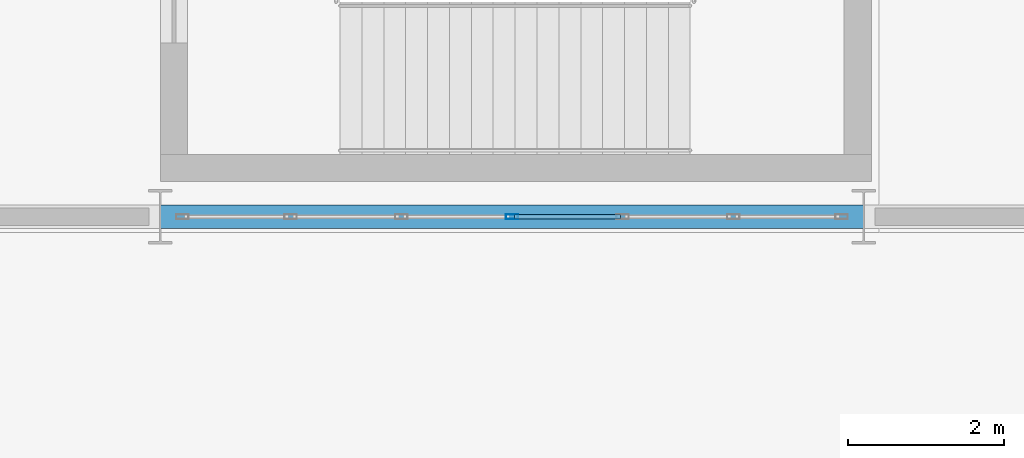
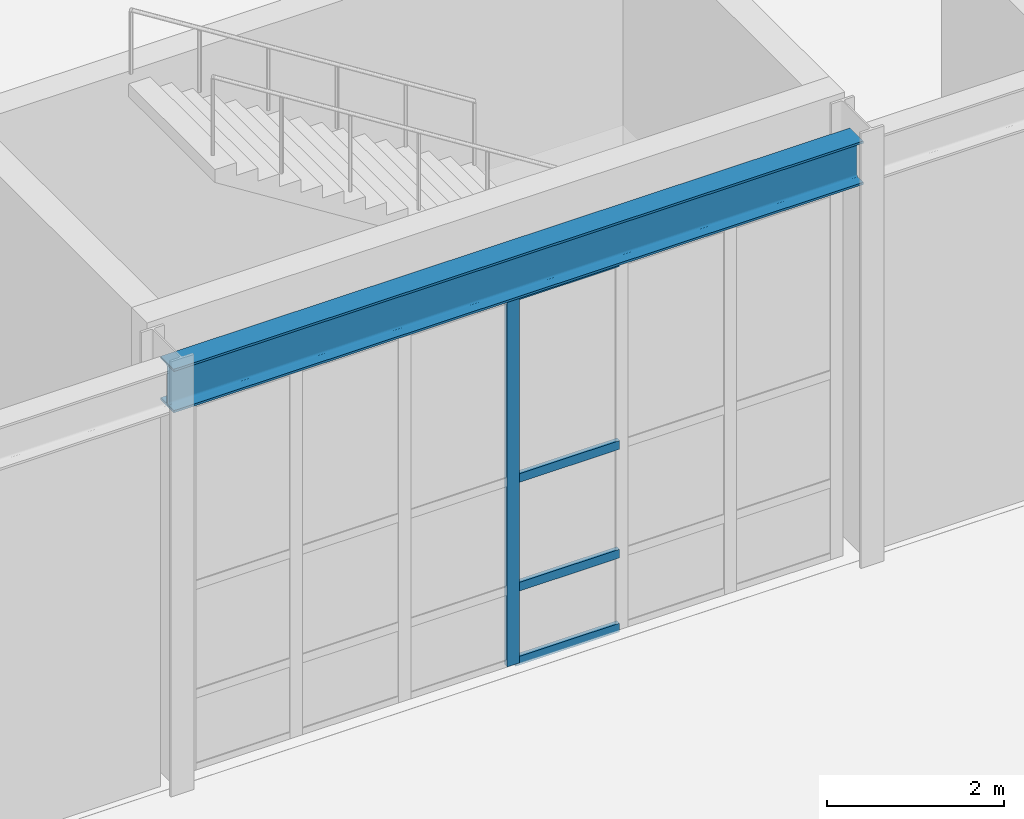
# One storey, part 61 of 146: 5 members, 1 beam, 1 element without a shape of its own.
"""IFC4 building model written with IfcOpenShell, lengths in metres."""

import ifcopenshell
import ifcopenshell.guid

model = None  # the IFC model being written
_history = None  # IfcOwnerHistory: only IFC2X3 demands one
_inside = {}  # id of a spatial element -> (the spatial element, [elements in it])
_under = {}  # id of a project, library or spatial element -> (it, [spatial elements below it])
_declared = {}  # id of a project -> (the project, [libraries it declares])
_typed = {}  # id of a type object -> (the type object, [elements of that type])
_made_of = {}  # id of a material, layer set ... -> (it, [elements and type objects made of it])


def new_model(schema):
    """Start an empty IFC model of exactly this schema.

    Asked for "IFC4X3", IfcOpenShell would pick the latest addendum, in which some entities
    have other attributes; the version numbers below select the first issue.
    IFC2X3 requires an IfcOwnerHistory on every rooted entity: one is made here for all.
    """
    global model, _history
    if schema == "IFC4X3":
        model = ifcopenshell.file(schema_version=(4, 3, 0, 0))
    else:
        model = ifcopenshell.file(schema=schema)
    _inside.clear()
    _under.clear()
    _declared.clear()
    _typed.clear()
    _made_of.clear()
    _history = None
    if model.schema == "IFC2X3":
        org = make("IfcOrganization", Name="unknown")
        user = make(
            "IfcPersonAndOrganization",
            ThePerson=make("IfcPerson", FamilyName="unknown"),
            TheOrganization=org,
        )
        app = make(
            "IfcApplication",
            ApplicationDeveloper=org,
            Version="unknown",
            ApplicationFullName="unknown",
            ApplicationIdentifier="unknown",
        )
        _history = make(
            "IfcOwnerHistory",
            OwningUser=user,
            OwningApplication=app,
            ChangeAction="ADDED",
            CreationDate=0,
        )
    return model


def make(cls, **values):
    """One entity of the class cls with the attributes given. An attribute that is None is left unset."""
    return model.create_entity(
        cls, **{name: value for name, value in values.items() if value is not None}
    )


def rooted(cls, **values):
    """An entity with a GlobalId (a new one), such as an element, a storey or a relation."""
    return make(cls, GlobalId=ifcopenshell.guid.new(), OwnerHistory=_history, **values)


def si_unit(unit_type, name, prefix=None):
    """IfcSIUnit, for example si_unit("LENGTHUNIT", "METRE", prefix="MILLI")."""
    return make("IfcSIUnit", UnitType=unit_type, Prefix=prefix, Name=name)


def assignment(units):
    """IfcUnitAssignment: the units of a project."""
    return None if units is None else make("IfcUnitAssignment", Units=units)


def point(xyz):
    """IfcCartesianPoint."""
    return None if xyz is None else make("IfcCartesianPoint", Coordinates=xyz)


def direction(xyz):
    """IfcDirection."""
    return None if xyz is None else make("IfcDirection", DirectionRatios=xyz)


def frame(location, z_axis=None, x_axis=None):
    """IfcAxis2Placement3D, a coordinate frame: its origin and axes. An axis left out is left unset."""
    return make(
        "IfcAxis2Placement3D",
        Location=point(location),
        Axis=direction(z_axis),
        RefDirection=direction(x_axis),
    )


def frame_2d(location, x_axis=None):
    """IfcAxis2Placement2D, a coordinate frame in the plane: its origin and x axis."""
    return make(
        "IfcAxis2Placement2D", Location=point(location), RefDirection=direction(x_axis)
    )


def origin():
    """The frame at (0, 0, 0) with its axes left unset."""
    return frame((0.0, 0.0, 0.0))


def origin_2d():
    """The frame at (0, 0) in the plane with its x axis left unset."""
    return frame_2d((0.0, 0.0))


def place(relative_to, where):
    """IfcLocalPlacement: puts the frame where relative to a parent placement (None: the world)."""
    return make(
        "IfcLocalPlacement", PlacementRelTo=relative_to, RelativePlacement=where
    )


def context(
    kind, dimensions, precision=None, world=None, true_north=None, identifier=None
):
    """IfcGeometricRepresentationContext, for example the 3D "Model" context."""
    return make(
        "IfcGeometricRepresentationContext",
        ContextIdentifier=identifier,
        ContextType=kind,
        CoordinateSpaceDimension=dimensions,
        Precision=precision,
        WorldCoordinateSystem=world,
        TrueNorth=true_north,
    )


def subcontext(parent, identifier, kind, view, scale=None):
    """IfcGeometricRepresentationSubContext, for example "Body" below "Model"."""
    return make(
        "IfcGeometricRepresentationSubContext",
        ContextIdentifier=identifier,
        ContextType=kind,
        ParentContext=parent,
        TargetScale=scale,
        TargetView=view,
    )


def project(units=None, contexts=None):
    """IfcProject with its units and contexts."""
    return rooted(
        "IfcProject",
        Name="project",
        RepresentationContexts=contexts,
        UnitsInContext=assignment(units),
    )


def spatial(cls, under=None, at=None, **own):
    """A site, building, storey or space (cls), placed at a placement, below another one or the project."""
    s = rooted(cls, ObjectPlacement=at, **own)
    if under is not None:
        _under.setdefault(under.id(), (under, []))[1].append(s)
    return s


def profile(cls, at=None, kind="AREA", **sizes):
    """A parametric profile (cls). Its sizes go by their IFC names, for example OverallWidth=200.0."""
    return make(cls, ProfileType=kind, Position=at, **sizes)


def hollow_rectangle(**sizes):
    """IfcRectangleHollowProfileDef."""
    return profile("IfcRectangleHollowProfileDef", **sizes)


def i_section(**sizes):
    """IfcIShapeProfileDef."""
    return profile("IfcIShapeProfileDef", **sizes)


def extrude(swept, where, along, depth):
    """IfcExtrudedAreaSolid: the profile swept, set in the frame where, extruded along a direction by depth."""
    return make(
        "IfcExtrudedAreaSolid",
        SweptArea=swept,
        Position=where,
        ExtrudedDirection=direction(along),
        Depth=depth,
    )


def shape(context_of_items, identifier, shape_type, items):
    """IfcShapeRepresentation: the items that make up one representation, for example the "Body"."""
    return make(
        "IfcShapeRepresentation",
        ContextOfItems=context_of_items,
        RepresentationIdentifier=identifier,
        RepresentationType=shape_type,
        Items=items,
    )


def material(Name=None, Category=None):
    """IfcMaterial."""
    return make("IfcMaterial", Name=Name, Category=Category)


def material_profile(
    of_material, cross_section, Name=None, Category=None, Priority=None
):
    """IfcMaterialProfile: a cross section and its material."""
    return make(
        "IfcMaterialProfile",
        Name=Name,
        Material=of_material,
        Profile=cross_section,
        Priority=Priority,
        Category=Category,
    )


def profile_set(profiles, Name=None, composite=None):
    """IfcMaterialProfileSet."""
    return make(
        "IfcMaterialProfileSet",
        Name=Name,
        MaterialProfiles=profiles,
        CompositeProfile=composite,
    )


def made_of(thing, what):
    """Note that an element or type object is made of a material, layer set ...; save() writes the relation."""
    if what is not None:
        _made_of.setdefault(what.id(), (what, []))[1].append(thing)
    return thing


def type_object(cls, material=None, **own):
    """A type object (cls), such as IfcWallType, which elements share."""
    return made_of(rooted(cls, **own), material)


def element(
    cls,
    number,
    at=None,
    inside=None,
    cuts=None,
    type_object=None,
    material=None,
    context=None,
    identifier="Body",
    shape_type=None,
    held_by="IfcProductDefinitionShape",
    body=None,
    shapes=None,
    **own,
):
    """One element of the class cls, such as IfcWall. Its Tag is "e" and its number.

    at: its placement. inside: the storey or other place that contains it. cuts: it is an
    opening in that element (IfcRelVoidsElement). A single representation is given by context,
    identifier, shape_type and body (its items); several are given by shapes. held_by: the class
    of the entity that holds the representations. save() writes the other relations.
    """
    e = rooted(cls, Tag="e%d" % number, ObjectPlacement=at, **own)
    if body is not None:
        shapes = [shape(context, identifier, shape_type, body)]
    if shapes is not None:
        e.Representation = make(held_by, Representations=shapes)
    if inside is not None:
        _inside.setdefault(inside.id(), (inside, []))[1].append(e)
    if cuts is not None:
        rooted(
            "IfcRelVoidsElement", RelatingBuildingElement=cuts, RelatedOpeningElement=e
        )
    if type_object is not None:
        _typed.setdefault(type_object.id(), (type_object, []))[1].append(e)
    return made_of(e, material)


def aggregate(whole, parts):
    """IfcRelAggregates: a whole, such as a stair, and the parts it consists of."""
    return rooted("IfcRelAggregates", RelatingObject=whole, RelatedObjects=parts)


def save(model, path):
    """Write the relations noted so far, then the file.

    IfcRelAggregates (storeys below a building ...), IfcRelContainedInSpatialStructure (elements
    in a storey), IfcRelDefinesByType, IfcRelAssociatesMaterial and IfcRelDeclares: one each for
    every whole, place, type object, material and project.
    """
    for whole, parts in _under.values():
        aggregate(whole, parts)
    for where, things in _inside.values():
        rooted(
            "IfcRelContainedInSpatialStructure",
            RelatedElements=things,
            RelatingStructure=where,
        )
    for kind, things in _typed.values():
        rooted("IfcRelDefinesByType", RelatedObjects=things, RelatingType=kind)
    for what, things in _made_of.values():
        rooted("IfcRelAssociatesMaterial", RelatedObjects=things, RelatingMaterial=what)
    for by, libraries in _declared.values():
        rooted("IfcRelDeclares", RelatingContext=by, RelatedDefinitions=libraries)
    model.write(path)


model = new_model("IFC4")

# Units and contexts
model_context = context("Model", 3, precision=1e-05, world=origin(), true_north=direction((0.0, 1.0)))
body_context = subcontext(model_context, "Body", "Model", "MODEL_VIEW")
ifc_project = project(units=[si_unit("LENGTHUNIT", "METRE"), si_unit("AREAUNIT", "SQUARE_METRE"), si_unit("VOLUMEUNIT", "CUBIC_METRE"), si_unit("PLANEANGLEUNIT", "RADIAN"), si_unit("MASSUNIT", "GRAM", prefix="KILO")], contexts=[model_context])

# Site, building, storey
site_placement = place(None, origin())
site = spatial("IfcSite", under=ifc_project, at=site_placement, CompositionType="ELEMENT")
building_placement = place(site_placement, origin())
building = spatial("IfcBuilding", under=site, at=building_placement, Name="Kaldris Quays Convention Centre", CompositionType="ELEMENT")
storey_placement = place(building_placement, origin())
storey = spatial("IfcBuildingStorey", under=building, at=storey_placement, Name="L00", CompositionType="ELEMENT", Elevation=0.0)

# Curtain wall, members
ifc_material_1 = material(Name="Anodized aluminium AW-6060 and triple glazing", Category="aluminium")
curtain_wall_type = type_object("IfcCurtainWallType", Name="UNITISED CURTAIN WALL CW04", PredefinedType="NOTDEFINED", material=ifc_material_1)
curtain_wall_placement = place(storey_placement, origin())
curtain_wall = element("IfcCurtainWall", 1, at=curtain_wall_placement, inside=storey, type_object=curtain_wall_type, Name="L00 Unitised Curtain Wall CW04 105", PredefinedType="NOTDEFINED")
ifc_material_2 = material(Name="Anodized aluminium AW-6060", Category="aluminium")
ifc_material_profile_1 = material_profile(ifc_material_2, hollow_rectangle(XDim=0.06005859375, YDim=0.159912109375, WallThickness=0.00390625, at=origin_2d()), Name="RHS 160x60x4")
ifc_profile_set_1 = profile_set([ifc_material_profile_1], Name="Anodized aluminium AW-6060")
member_type_1 = type_object("IfcMemberType", Name="CURTAIN MULLION CWM1", PredefinedType="MULLION", material=ifc_profile_set_1)
member_1_placement = place(storey_placement, frame((114.5, 38.0, 0.0), z_axis=(0.0, 0.0, 1.0), x_axis=(0.0, 1.0, 0.0)))
member_1 = element("IfcMember", 2, at=member_1_placement, type_object=member_type_1, Name="CW04 mullion 4", PredefinedType="MULLION", context=body_context, shape_type="SweptSolid", body=[
    extrude(hollow_rectangle(XDim=0.06005859375, YDim=0.159912109375, WallThickness=0.00390625, at=origin_2d()), origin(), (0.0, 0.0, 1.0), 5.097900390625),
])
ifc_material_profile_2 = material_profile(ifc_material_2, hollow_rectangle(XDim=0.06005859375, YDim=0.1201171875, WallThickness=0.00390625, at=origin_2d()), Name="RHS 120x60x4")
ifc_profile_set_2 = profile_set([ifc_material_profile_2], Name="Anodized aluminium AW-6060")
member_type_2 = type_object("IfcMemberType", Name="CURTAIN TRANSOM CWT1", PredefinedType="USERDEFINED", material=ifc_profile_set_2)
member_2_placement = place(storey_placement, frame((114.530029296875, 38.0, 0.030029296875), z_axis=(1.0, 0.0, 0.0), x_axis=(0.0, 1.0, 0.0)))
member_2 = element("IfcMember", 3, at=member_2_placement, type_object=member_type_2, Name="CW04 transom 4.1", ObjectType="TRANSOM", PredefinedType="USERDEFINED", context=body_context, shape_type="SweptSolid", body=[
    extrude(hollow_rectangle(XDim=0.06005859375, YDim=0.1201171875, WallThickness=0.00390625, at=origin_2d()), origin(), (0.0, 0.0, 1.0), 1.356689453125),
])
member_3_placement = place(storey_placement, frame((114.530029296875, 38.0, 1.050048828125), z_axis=(1.0, 0.0, 0.0), x_axis=(0.0, 1.0, 0.0)))
member_3 = element("IfcMember", 4, at=member_3_placement, type_object=member_type_2, Name="CW04 transom 4.2", ObjectType="TRANSOM", PredefinedType="USERDEFINED", context=body_context, shape_type="SweptSolid", body=[
    extrude(hollow_rectangle(XDim=0.06005859375, YDim=0.1201171875, WallThickness=0.00390625, at=origin_2d()), origin(), (0.0, 0.0, 1.0), 1.356689453125),
])
member_4_placement = place(storey_placement, frame((114.530029296875, 38.0, 2.549072265625), z_axis=(1.0, 0.0, 0.0), x_axis=(0.0, 1.0, 0.0)))
member_4 = element("IfcMember", 5, at=member_4_placement, type_object=member_type_2, Name="CW04 transom 4.3", ObjectType="TRANSOM", PredefinedType="USERDEFINED", context=body_context, shape_type="SweptSolid", body=[
    extrude(hollow_rectangle(XDim=0.06005859375, YDim=0.1201171875, WallThickness=0.00390625, at=origin_2d()), origin(), (0.0, 0.0, 1.0), 1.356689453125),
])
member_5_placement = place(storey_placement, frame((114.530029296875, 38.0, 5.068115234375), z_axis=(1.0, 0.0, 0.0), x_axis=(0.0, 1.0, 0.0)))
member_5 = element("IfcMember", 6, at=member_5_placement, type_object=member_type_2, Name="CW04 transom 4.4", ObjectType="TRANSOM", PredefinedType="USERDEFINED", context=body_context, shape_type="SweptSolid", body=[
    extrude(hollow_rectangle(XDim=0.06005859375, YDim=0.1201171875, WallThickness=0.00390625, at=origin_2d()), origin(), (0.0, 0.0, 1.0), 1.356689453125),
])
aggregate(curtain_wall, [member_1, member_2, member_3, member_4, member_5])

# Beam
ifc_material_3 = material(Name="Steel S355J2", Category="steel")
ifc_material_profile_3 = material_profile(ifc_material_3, i_section(OverallWidth=0.300048828125, OverallDepth=0.60009765625, WebThickness=0.015380859375, FlangeThickness=0.030029296875, FilletRadius=0.027099609375, at=origin_2d()), Name="HEB 600")
ifc_profile_set_3 = profile_set([ifc_material_profile_3], Name="Steel S355J2")
beam_type = type_object("IfcBeamType", Name="STRUCTURAL BEAM BM05", PredefinedType="BEAM", material=ifc_profile_set_3)
beam_placement = place(storey_placement, frame((110.00244140625, 38.0, 5.423095703125), z_axis=(1.0, 0.0, 0.0), x_axis=(0.0, 1.0, 0.0)))
element("IfcBeam", 7, at=beam_placement, inside=storey, type_object=beam_type, Name="L00 Girder BM05 4", PredefinedType="BEAM", context=body_context, shape_type="SweptSolid", body=[
    extrude(i_section(OverallWidth=0.300048828125, OverallDepth=0.60009765625, WebThickness=0.015380859375, FlangeThickness=0.030029296875, FilletRadius=0.027099609375, at=origin_2d()), origin(), (0.0, 0.0, 1.0), 8.9951171875),
])

save(model, "model.ifc")
